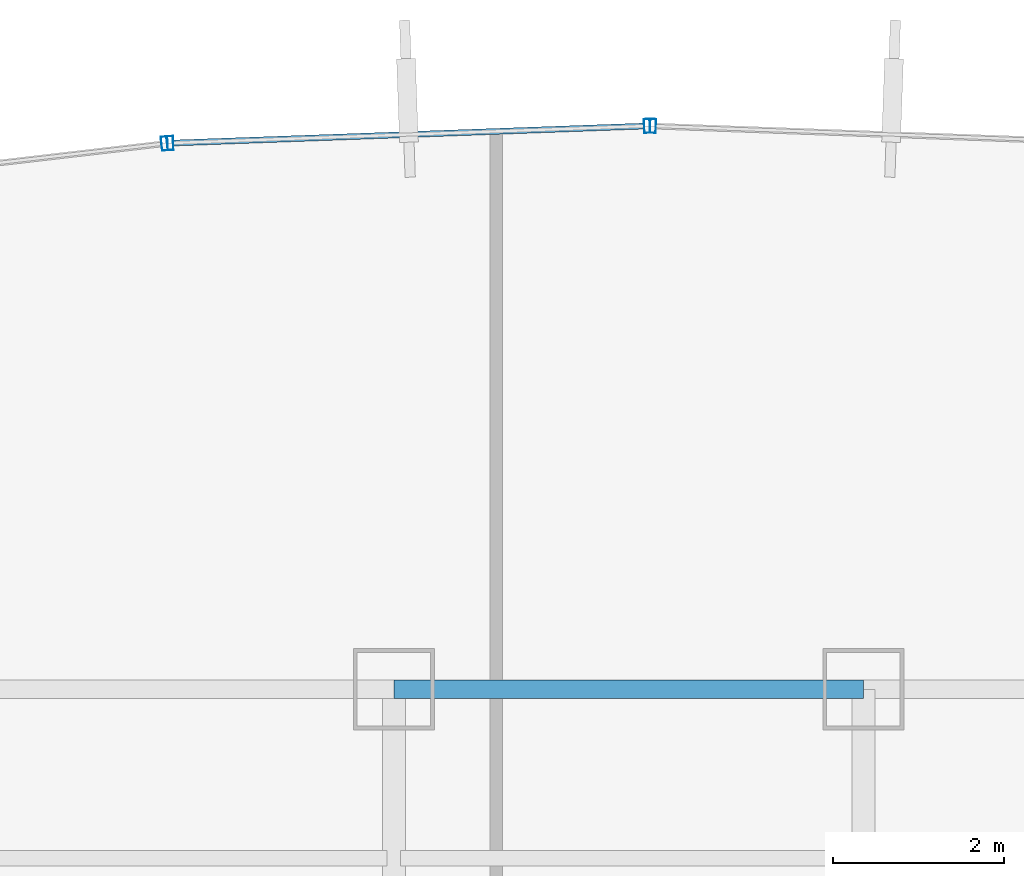
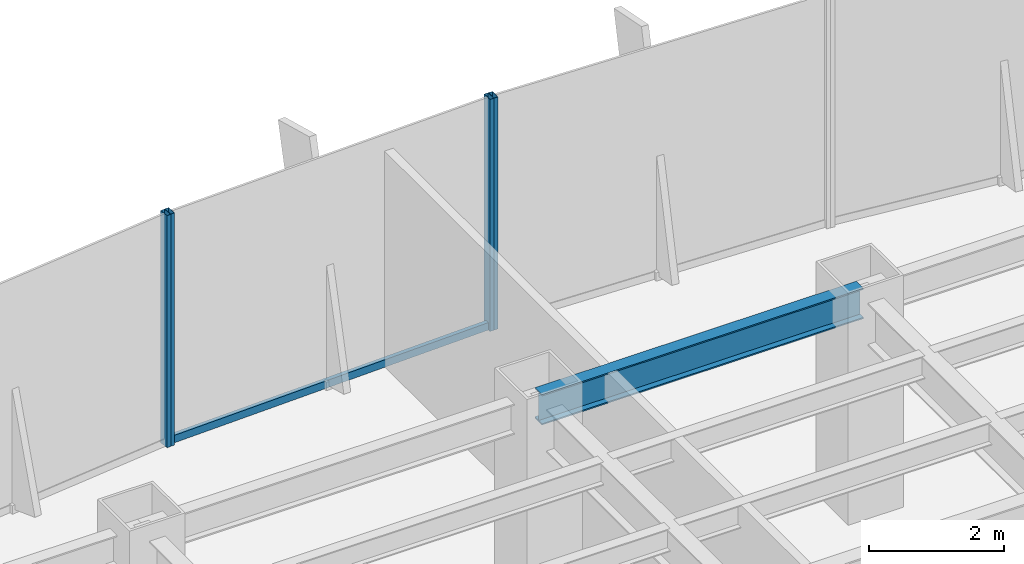
# One storey, part 21 of 35: 5 members, 1 beam, 3 elements without a shape of their own.
"""IFC4 building model written with IfcOpenShell, lengths in metres."""

from ifc_helpers import new_model, si_unit, derived_unit, direction, frame, origin, origin_2d, place, context, subcontext, project, spatial, hollow_rectangle, i_section, extrude, source, transform, mapped, material, material_profile, profile_set, type_object, element, aggregate, save


model = new_model("IFC4")

# Units and contexts
model_context = context("Model", 3, precision=1e-05, world=origin(), true_north=direction((0.0, 1.0)))
body_context = subcontext(model_context, "Body", "Model", "MODEL_VIEW")
ifc_project = project(units=[si_unit("LENGTHUNIT", "METRE"), si_unit("AREAUNIT", "SQUARE_METRE"), si_unit("VOLUMEUNIT", "CUBIC_METRE"), si_unit("PLANEANGLEUNIT", "RADIAN"), si_unit("MASSUNIT", "GRAM", prefix="KILO"), derived_unit("THERMALTRANSMITTANCEUNIT", [(si_unit("POWERUNIT", "WATT"), 1), (si_unit("LENGTHUNIT", "METRE"), -2), (si_unit("THERMODYNAMICTEMPERATUREUNIT", "KELVIN"), -1)])], contexts=[model_context])

# Site, building, storey
site_placement = place(None, origin())
site = spatial("IfcSite", under=ifc_project, at=site_placement, CompositionType="ELEMENT")
building_placement = place(site_placement, origin())
building = spatial("IfcBuilding", under=site, at=building_placement, Name="Skarnbrae Concourse Arena and Tower", CompositionType="ELEMENT")
storey_placement = place(building_placement, frame((0.0, 0.0, 79.949951171875)))
storey = spatial("IfcBuildingStorey", under=building, at=storey_placement, Name="L19", CompositionType="ELEMENT", Elevation=79.949951171875)

# Beam
ifc_material_1 = material(Name="Steel CSA G40.21 350W", Category="steel")
ifc_material_profile_1 = material_profile(ifc_material_1, i_section(OverallWidth=0.214111328125, OverallDepth=0.549072265625, WebThickness=0.0146484375, FlangeThickness=0.023681640625, at=origin_2d()), Name="W530X138")
ifc_profile_set_1 = profile_set([ifc_material_profile_1], Name="Steel CSA G40.21 350W")
beam_type = type_object("IfcBeamType", Name="BM-SPAN-W530X138", PredefinedType="SPANDREL", material=ifc_profile_set_1)
shared_shape_1 = source(origin(), body_context, "Body", "SweptSolid", [
    extrude(i_section(OverallWidth=0.214111328125, OverallDepth=0.549072265625, WebThickness=0.0146484375, FlangeThickness=0.023681640625, at=origin_2d()), origin(), (0.0, 0.0, 1.0), 5.5),
])
beam_placement = place(storey_placement, frame((28.0, 40.39990234375, 3.62548828125), z_axis=(1.0, 0.0, 0.0), x_axis=(0.0, 1.0, 0.0)))
element("IfcBeam", 1, at=beam_placement, inside=storey, type_object=beam_type, Name="L19 Perimeter spandrel Y40.4-4", PredefinedType="SPANDREL", context=body_context, shape_type="MappedRepresentation", body=[
    mapped(shared_shape_1, transform((0.0, 0.0, 0.0))),
])

# Curtain wall, member
ifc_material_2 = material(Name="Bronze anodised aluminium 6063-T6", Category="aluminium")
curtain_wall_type = type_object("IfcCurtainWallType", Name="CW-SYS-06-SKYLOBBY", PredefinedType="USERDEFINED", material=ifc_material_2)
curtain_wall_1_placement = place(storey_placement, origin())
curtain_wall_1 = element("IfcCurtainWall", 2, at=curtain_wall_1_placement, inside=storey, type_object=curtain_wall_type, Name="L19 Unitised curtain wall CW-L19-E11", ObjectType="UNITISED CURTAIN WALL", PredefinedType="USERDEFINED")
ifc_material_profile_2 = material_profile(ifc_material_2, hollow_rectangle(XDim=0.070068359375, YDim=0.1650390625, WallThickness=0.00390625, at=origin_2d()), Name="ALU-MULL-70X165")
ifc_profile_set_2 = profile_set([ifc_material_profile_2], Name="Bronze anodised aluminium 6063-T6")
member_type_1 = type_object("IfcMemberType", Name="CWM-CW-06", PredefinedType="MULLION", material=ifc_profile_set_2)
shared_shape_2 = source(origin(), body_context, "Body", "SweptSolid", [
    extrude(hollow_rectangle(XDim=0.070068359375, YDim=0.1650390625, WallThickness=0.00390625, at=origin_2d()), origin(), (0.0, 0.0, 1.0), 4.199951171875),
])
member_1_placement = place(storey_placement, frame((31.034912109375, 46.998779296875, 0.0), z_axis=(0.0, 0.0, 1.0), x_axis=(-0.999355425188, 0.035898943527, 0.0)))
member_1 = element("IfcMember", 3, at=member_1_placement, type_object=member_type_1, Name="CW-L19-E11 Mullion 2", PredefinedType="MULLION", context=body_context, shape_type="MappedRepresentation", body=[
    mapped(shared_shape_2, transform((0.0, 0.0, 0.0))),
])
aggregate(curtain_wall_1, [member_1])

# Curtain wall, members
curtain_wall_2_placement = place(storey_placement, origin())
curtain_wall_2 = element("IfcCurtainWall", 4, at=curtain_wall_2_placement, inside=storey, type_object=curtain_wall_type, Name="L19 Unitised curtain wall CW-L19-E12", ObjectType="UNITISED CURTAIN WALL", PredefinedType="USERDEFINED")
member_2_placement = place(storey_placement, frame((30.965087890625, 46.998779296875, 0.0), z_axis=(0.0, 0.0, 1.0), x_axis=(-0.999355425188, -0.035898943527, 0.0)))
member_2 = element("IfcMember", 5, at=member_2_placement, type_object=member_type_1, Name="CW-L19-E12 Mullion 1", PredefinedType="MULLION", context=body_context, shape_type="MappedRepresentation", body=[
    mapped(shared_shape_2, transform((0.0, 0.0, 0.0))),
])
member_3_placement = place(storey_placement, frame((25.381103515625, 46.798095703125, 0.0), z_axis=(0.0, 0.0, 1.0), x_axis=(-0.999355425188, -0.035898943527, 0.0)))
member_3 = element("IfcMember", 6, at=member_3_placement, type_object=member_type_1, Name="CW-L19-E12 Mullion 2", PredefinedType="MULLION", context=body_context, shape_type="MappedRepresentation", body=[
    mapped(shared_shape_2, transform((0.0, 0.0, 0.0))),
])

# Curtain wall, member
curtain_wall_3_placement = place(storey_placement, origin())
curtain_wall_3 = element("IfcCurtainWall", 7, at=curtain_wall_3_placement, inside=storey, type_object=curtain_wall_type, Name="L19 Unitised curtain wall CW-L19-E13", ObjectType="UNITISED CURTAIN WALL", PredefinedType="USERDEFINED")
member_4_placement = place(storey_placement, frame((25.311279296875, 46.792724609375, 0.0), z_axis=(0.0, 0.0, 1.0), x_axis=(-0.99324457001, -0.116039752435, 0.0)))
member_4 = element("IfcMember", 8, at=member_4_placement, type_object=member_type_1, Name="CW-L19-E13 Mullion 1", PredefinedType="MULLION", context=body_context, shape_type="MappedRepresentation", body=[
    mapped(shared_shape_2, transform((0.0, 0.0, 0.0))),
])
aggregate(curtain_wall_3, [member_4])

# Member
ifc_material_profile_3 = material_profile(ifc_material_2, hollow_rectangle(XDim=0.070068359375, YDim=0.135009765625, WallThickness=0.00390625, at=origin_2d()), Name="ALU-TRAN-70X135")
ifc_profile_set_3 = profile_set([ifc_material_profile_3], Name="Bronze anodised aluminium 6063-T6")
member_type_2 = type_object("IfcMemberType", Name="CWT-CW-06", PredefinedType="USERDEFINED", material=ifc_profile_set_3)
shared_shape_3 = source(origin(), body_context, "Body", "SweptSolid", [
    extrude(hollow_rectangle(XDim=0.070068359375, YDim=0.135009765625, WallThickness=0.00390625, at=origin_2d()), origin(), (0.0, 0.0, 1.0), 5.517578125),
])
member_5_placement = place(storey_placement, frame((30.929931640625, 46.99755859375, 0.067626953125), z_axis=(-0.999354314419, -0.035929851818, 0.0), x_axis=(0.035929851818, -0.999354314419, 0.0)))
member_5 = element("IfcMember", 9, at=member_5_placement, type_object=member_type_2, Name="CW-L19-E12 Transom 1", ObjectType="TRANSOM", PredefinedType="USERDEFINED", context=body_context, shape_type="MappedRepresentation", body=[
    mapped(shared_shape_3, transform((0.0, 0.0, 0.0))),
])

aggregate(curtain_wall_2, [member_2, member_3, member_5])

save(model, "model.ifc")
